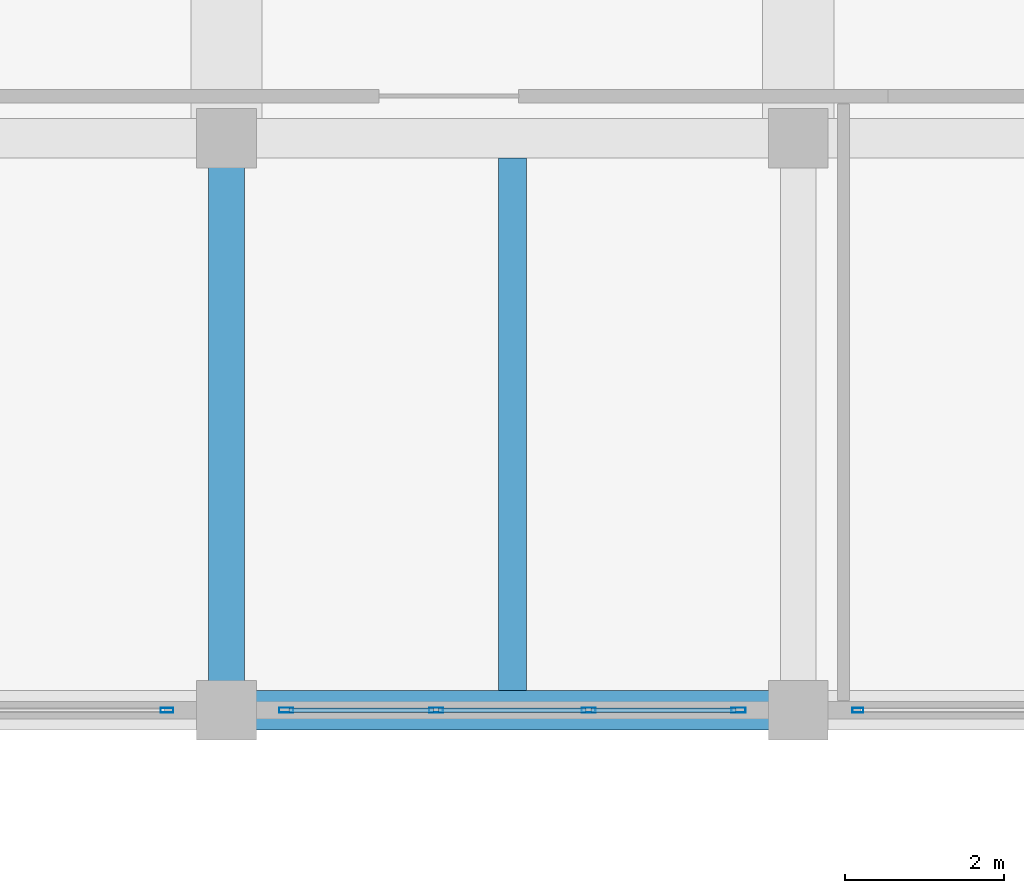
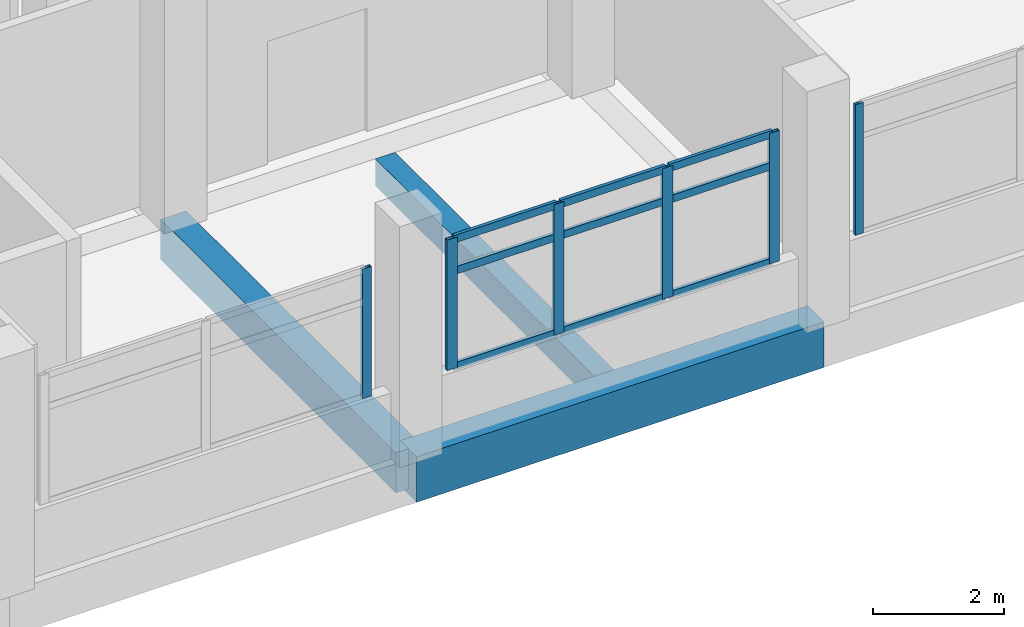
# One storey, part 83 of 141: 15 members, 3 beams, 3 elements without a shape of their own.
"""IFC4 building model written with IfcOpenShell, lengths in metres."""

import ifcopenshell
import ifcopenshell.guid

model = None  # the IFC model being written
_history = None  # IfcOwnerHistory: only IFC2X3 demands one
_inside = {}  # id of a spatial element -> (the spatial element, [elements in it])
_under = {}  # id of a project, library or spatial element -> (it, [spatial elements below it])
_declared = {}  # id of a project -> (the project, [libraries it declares])
_typed = {}  # id of a type object -> (the type object, [elements of that type])
_made_of = {}  # id of a material, layer set ... -> (it, [elements and type objects made of it])


def new_model(schema):
    """Start an empty IFC model of exactly this schema.

    Asked for "IFC4X3", IfcOpenShell would pick the latest addendum, in which some entities
    have other attributes; the version numbers below select the first issue.
    IFC2X3 requires an IfcOwnerHistory on every rooted entity: one is made here for all.
    """
    global model, _history
    if schema == "IFC4X3":
        model = ifcopenshell.file(schema_version=(4, 3, 0, 0))
    else:
        model = ifcopenshell.file(schema=schema)
    _inside.clear()
    _under.clear()
    _declared.clear()
    _typed.clear()
    _made_of.clear()
    _history = None
    if model.schema == "IFC2X3":
        org = make("IfcOrganization", Name="unknown")
        user = make(
            "IfcPersonAndOrganization",
            ThePerson=make("IfcPerson", FamilyName="unknown"),
            TheOrganization=org,
        )
        app = make(
            "IfcApplication",
            ApplicationDeveloper=org,
            Version="unknown",
            ApplicationFullName="unknown",
            ApplicationIdentifier="unknown",
        )
        _history = make(
            "IfcOwnerHistory",
            OwningUser=user,
            OwningApplication=app,
            ChangeAction="ADDED",
            CreationDate=0,
        )
    return model


def make(cls, **values):
    """One entity of the class cls with the attributes given. An attribute that is None is left unset."""
    return model.create_entity(
        cls, **{name: value for name, value in values.items() if value is not None}
    )


def rooted(cls, **values):
    """An entity with a GlobalId (a new one), such as an element, a storey or a relation."""
    return make(cls, GlobalId=ifcopenshell.guid.new(), OwnerHistory=_history, **values)


def si_unit(unit_type, name, prefix=None):
    """IfcSIUnit, for example si_unit("LENGTHUNIT", "METRE", prefix="MILLI")."""
    return make("IfcSIUnit", UnitType=unit_type, Prefix=prefix, Name=name)


def assignment(units):
    """IfcUnitAssignment: the units of a project."""
    return None if units is None else make("IfcUnitAssignment", Units=units)


def point(xyz):
    """IfcCartesianPoint."""
    return None if xyz is None else make("IfcCartesianPoint", Coordinates=xyz)


def direction(xyz):
    """IfcDirection."""
    return None if xyz is None else make("IfcDirection", DirectionRatios=xyz)


def frame(location, z_axis=None, x_axis=None):
    """IfcAxis2Placement3D, a coordinate frame: its origin and axes. An axis left out is left unset."""
    return make(
        "IfcAxis2Placement3D",
        Location=point(location),
        Axis=direction(z_axis),
        RefDirection=direction(x_axis),
    )


def frame_2d(location, x_axis=None):
    """IfcAxis2Placement2D, a coordinate frame in the plane: its origin and x axis."""
    return make(
        "IfcAxis2Placement2D", Location=point(location), RefDirection=direction(x_axis)
    )


def origin():
    """The frame at (0, 0, 0) with its axes left unset."""
    return frame((0.0, 0.0, 0.0))


def origin_2d():
    """The frame at (0, 0) in the plane with its x axis left unset."""
    return frame_2d((0.0, 0.0))


def place(relative_to, where):
    """IfcLocalPlacement: puts the frame where relative to a parent placement (None: the world)."""
    return make(
        "IfcLocalPlacement", PlacementRelTo=relative_to, RelativePlacement=where
    )


def context(
    kind, dimensions, precision=None, world=None, true_north=None, identifier=None
):
    """IfcGeometricRepresentationContext, for example the 3D "Model" context."""
    return make(
        "IfcGeometricRepresentationContext",
        ContextIdentifier=identifier,
        ContextType=kind,
        CoordinateSpaceDimension=dimensions,
        Precision=precision,
        WorldCoordinateSystem=world,
        TrueNorth=true_north,
    )


def subcontext(parent, identifier, kind, view, scale=None):
    """IfcGeometricRepresentationSubContext, for example "Body" below "Model"."""
    return make(
        "IfcGeometricRepresentationSubContext",
        ContextIdentifier=identifier,
        ContextType=kind,
        ParentContext=parent,
        TargetScale=scale,
        TargetView=view,
    )


def project(units=None, contexts=None):
    """IfcProject with its units and contexts."""
    return rooted(
        "IfcProject",
        Name="project",
        RepresentationContexts=contexts,
        UnitsInContext=assignment(units),
    )


def spatial(cls, under=None, at=None, **own):
    """A site, building, storey or space (cls), placed at a placement, below another one or the project."""
    s = rooted(cls, ObjectPlacement=at, **own)
    if under is not None:
        _under.setdefault(under.id(), (under, []))[1].append(s)
    return s


def profile(cls, at=None, kind="AREA", **sizes):
    """A parametric profile (cls). Its sizes go by their IFC names, for example OverallWidth=200.0."""
    return make(cls, ProfileType=kind, Position=at, **sizes)


def rectangle(**sizes):
    """IfcRectangleProfileDef."""
    return profile("IfcRectangleProfileDef", **sizes)


def hollow_rectangle(**sizes):
    """IfcRectangleHollowProfileDef."""
    return profile("IfcRectangleHollowProfileDef", **sizes)


def extrude(swept, where, along, depth):
    """IfcExtrudedAreaSolid: the profile swept, set in the frame where, extruded along a direction by depth."""
    return make(
        "IfcExtrudedAreaSolid",
        SweptArea=swept,
        Position=where,
        ExtrudedDirection=direction(along),
        Depth=depth,
    )


def shape(context_of_items, identifier, shape_type, items):
    """IfcShapeRepresentation: the items that make up one representation, for example the "Body"."""
    return make(
        "IfcShapeRepresentation",
        ContextOfItems=context_of_items,
        RepresentationIdentifier=identifier,
        RepresentationType=shape_type,
        Items=items,
    )


def material(Name=None, Category=None):
    """IfcMaterial."""
    return make("IfcMaterial", Name=Name, Category=Category)


def layer(
    of_material, thickness, ventilated=None, Name=None, Category=None, Priority=None
):
    """IfcMaterialLayer: one layer of a wall or slab, of a material (None: an air gap)."""
    return make(
        "IfcMaterialLayer",
        Material=of_material,
        LayerThickness=thickness,
        IsVentilated=ventilated,
        Name=Name,
        Category=Category,
        Priority=Priority,
    )


def layer_set(layers, Name=None):
    """IfcMaterialLayerSet."""
    return make("IfcMaterialLayerSet", MaterialLayers=layers, LayerSetName=Name)


def material_profile(
    of_material, cross_section, Name=None, Category=None, Priority=None
):
    """IfcMaterialProfile: a cross section and its material."""
    return make(
        "IfcMaterialProfile",
        Name=Name,
        Material=of_material,
        Profile=cross_section,
        Priority=Priority,
        Category=Category,
    )


def profile_set(profiles, Name=None, composite=None):
    """IfcMaterialProfileSet."""
    return make(
        "IfcMaterialProfileSet",
        Name=Name,
        MaterialProfiles=profiles,
        CompositeProfile=composite,
    )


def made_of(thing, what):
    """Note that an element or type object is made of a material, layer set ...; save() writes the relation."""
    if what is not None:
        _made_of.setdefault(what.id(), (what, []))[1].append(thing)
    return thing


def type_object(cls, material=None, **own):
    """A type object (cls), such as IfcWallType, which elements share."""
    return made_of(rooted(cls, **own), material)


def element(
    cls,
    number,
    at=None,
    inside=None,
    cuts=None,
    type_object=None,
    material=None,
    context=None,
    identifier="Body",
    shape_type=None,
    held_by="IfcProductDefinitionShape",
    body=None,
    shapes=None,
    **own,
):
    """One element of the class cls, such as IfcWall. Its Tag is "e" and its number.

    at: its placement. inside: the storey or other place that contains it. cuts: it is an
    opening in that element (IfcRelVoidsElement). A single representation is given by context,
    identifier, shape_type and body (its items); several are given by shapes. held_by: the class
    of the entity that holds the representations. save() writes the other relations.
    """
    e = rooted(cls, Tag="e%d" % number, ObjectPlacement=at, **own)
    if body is not None:
        shapes = [shape(context, identifier, shape_type, body)]
    if shapes is not None:
        e.Representation = make(held_by, Representations=shapes)
    if inside is not None:
        _inside.setdefault(inside.id(), (inside, []))[1].append(e)
    if cuts is not None:
        rooted(
            "IfcRelVoidsElement", RelatingBuildingElement=cuts, RelatedOpeningElement=e
        )
    if type_object is not None:
        _typed.setdefault(type_object.id(), (type_object, []))[1].append(e)
    return made_of(e, material)


def aggregate(whole, parts):
    """IfcRelAggregates: a whole, such as a stair, and the parts it consists of."""
    return rooted("IfcRelAggregates", RelatingObject=whole, RelatedObjects=parts)


def save(model, path):
    """Write the relations noted so far, then the file.

    IfcRelAggregates (storeys below a building ...), IfcRelContainedInSpatialStructure (elements
    in a storey), IfcRelDefinesByType, IfcRelAssociatesMaterial and IfcRelDeclares: one each for
    every whole, place, type object, material and project.
    """
    for whole, parts in _under.values():
        aggregate(whole, parts)
    for where, things in _inside.values():
        rooted(
            "IfcRelContainedInSpatialStructure",
            RelatedElements=things,
            RelatingStructure=where,
        )
    for kind, things in _typed.values():
        rooted("IfcRelDefinesByType", RelatedObjects=things, RelatingType=kind)
    for what, things in _made_of.values():
        rooted("IfcRelAssociatesMaterial", RelatedObjects=things, RelatingMaterial=what)
    for by, libraries in _declared.values():
        rooted("IfcRelDeclares", RelatingContext=by, RelatedDefinitions=libraries)
    model.write(path)


model = new_model("IFC4")

# Units and contexts
model_context = context("Model", 3, precision=1e-05, world=origin(), true_north=direction((0.0, 1.0)))
body_context = subcontext(model_context, "Body", "Model", "MODEL_VIEW")
ifc_project = project(units=[si_unit("LENGTHUNIT", "METRE"), si_unit("AREAUNIT", "SQUARE_METRE"), si_unit("VOLUMEUNIT", "CUBIC_METRE"), si_unit("PLANEANGLEUNIT", "RADIAN"), si_unit("MASSUNIT", "GRAM", prefix="KILO")], contexts=[model_context])

# Site, building, storey
site_placement = place(None, origin())
site = spatial("IfcSite", under=ifc_project, at=site_placement, CompositionType="ELEMENT")
building_placement = place(site_placement, origin())
building = spatial("IfcBuilding", under=site, at=building_placement, Name="Seraya Terrace Polytechnic", CompositionType="ELEMENT")
storey_placement = place(building_placement, frame((0.0, 0.0, 14.39990234375)))
storey = spatial("IfcBuildingStorey", under=building, at=storey_placement, Name="L03", CompositionType="ELEMENT", Elevation=14.39990234375)

# Beams
ifc_material_1 = material(Name="Concrete C40/50", Category="concrete")
ifc_material_profile_1 = material_profile(ifc_material_1, rectangle(XDim=0.5, YDim=0.85009765625, at=origin_2d()), Name="RC 500x850")
ifc_profile_set_1 = profile_set([ifc_material_profile_1], Name="Concrete C40/50")
beam_type_1 = type_object("IfcBeamType", Name="BM-05", PredefinedType="BEAM", material=ifc_profile_set_1)
beam_1_placement = place(storey_placement, frame((64.800048828125, 64.800048828125, -0.4248046875), z_axis=(1.0, 0.0, 0.0), x_axis=(0.0, 1.0, 0.0)))
element("IfcBeam", 1, at=beam_1_placement, inside=storey, type_object=beam_type_1, Name="Beam BM-05 L03 X (64.8..72.0, 64.8)", PredefinedType="BEAM", context=body_context, shape_type="SweptSolid", body=[
    extrude(rectangle(XDim=0.5, YDim=0.85009765625, at=origin_2d()), origin(), (0.0, 0.0, 1.0), 7.199951171875),
])
ifc_material_profile_2 = material_profile(ifc_material_1, rectangle(XDim=0.449951171875, YDim=0.75, at=origin_2d()), Name="RC 450x750")
ifc_profile_set_2 = profile_set([ifc_material_profile_2], Name="Concrete C40/50")
beam_type_2 = type_object("IfcBeamType", Name="BM-08", PredefinedType="BEAM", material=ifc_profile_set_2)
beam_2_placement = place(storey_placement, frame((64.800048828125, 64.800048828125, -0.375), z_axis=(0.0, 1.0, 0.0), x_axis=(-1.0, 0.0, 0.0)))
element("IfcBeam", 2, at=beam_2_placement, inside=storey, type_object=beam_type_2, Name="Beam BM-08 L03 Y (64.8, 64.8..72.0)", PredefinedType="BEAM", context=body_context, shape_type="SweptSolid", body=[
    extrude(rectangle(XDim=0.449951171875, YDim=0.75, at=origin_2d()), origin(), (0.0, 0.0, 1.0), 7.199951171875),
])

# Curtain wall, members
ifc_material_2 = material(Name="Anodised aluminium EN AW-6063 T6", Category="aluminium")
ifc_layer_1 = layer(ifc_material_2, 0.179931640625, Name="CW-34")
ifc_layer_set_1 = layer_set([ifc_layer_1], Name="Anodised aluminium EN AW-6063 T6")
curtain_wall_type_1 = type_object("IfcCurtainWallType", Name="CW-34", PredefinedType="NOTDEFINED", material=ifc_layer_set_1)
curtain_wall_1_placement = place(storey_placement, origin())
curtain_wall_1 = element("IfcCurtainWall", 3, at=curtain_wall_1_placement, inside=storey, type_object=curtain_wall_type_1, Name="Unitised curtain wall CW-34 (CW-L03-142)", PredefinedType="NOTDEFINED")
ifc_material_profile_3 = material_profile(ifc_material_2, hollow_rectangle(XDim=0.06494140625, YDim=0.179931640625, WallThickness=0.00390625, at=origin_2d()), Name="RHS 180x65x4.0")
ifc_profile_set_3 = profile_set([ifc_material_profile_3], Name="Anodised aluminium EN AW-6063 T6")
member_type_1 = type_object("IfcMemberType", Name="CWM-01", PredefinedType="MULLION", material=ifc_profile_set_3)
member_1_placement = place(storey_placement, frame((71.24755859375, 64.800048828125, 1.239990234375), z_axis=(0.0, 0.0, 1.0), x_axis=(0.0, -1.0, 0.0)))
member_1 = element("IfcMember", 4, at=member_1_placement, type_object=member_type_1, Name="CW-34 mullion 1", PredefinedType="MULLION", context=body_context, shape_type="SweptSolid", body=[
    extrude(hollow_rectangle(XDim=0.06494140625, YDim=0.179931640625, WallThickness=0.00390625, at=origin_2d()), origin(), (0.0, 0.0, 1.0), 2.440185546875),
])
member_2_placement = place(storey_placement, frame((69.360107421875, 64.800048828125, 1.239990234375), z_axis=(0.0, 0.0, 1.0), x_axis=(0.0, -1.0, 0.0)))
member_2 = element("IfcMember", 5, at=member_2_placement, type_object=member_type_1, Name="CW-34 mullion 2", PredefinedType="MULLION", context=body_context, shape_type="SweptSolid", body=[
    extrude(hollow_rectangle(XDim=0.06494140625, YDim=0.179931640625, WallThickness=0.00390625, at=origin_2d()), origin(), (0.0, 0.0, 1.0), 2.440185546875),
])
member_3_placement = place(storey_placement, frame((67.43994140625, 64.800048828125, 1.239990234375), z_axis=(0.0, 0.0, 1.0), x_axis=(0.0, -1.0, 0.0)))
member_3 = element("IfcMember", 6, at=member_3_placement, type_object=member_type_1, Name="CW-34 mullion 3", PredefinedType="MULLION", context=body_context, shape_type="SweptSolid", body=[
    extrude(hollow_rectangle(XDim=0.06494140625, YDim=0.179931640625, WallThickness=0.00390625, at=origin_2d()), origin(), (0.0, 0.0, 1.0), 2.440185546875),
])
member_4_placement = place(storey_placement, frame((65.552490234375, 64.800048828125, 1.239990234375), z_axis=(0.0, 0.0, 1.0), x_axis=(0.0, -1.0, 0.0)))
member_4 = element("IfcMember", 7, at=member_4_placement, type_object=member_type_1, Name="CW-34 mullion 4", PredefinedType="MULLION", context=body_context, shape_type="SweptSolid", body=[
    extrude(hollow_rectangle(XDim=0.06494140625, YDim=0.179931640625, WallThickness=0.00390625, at=origin_2d()), origin(), (0.0, 0.0, 1.0), 2.440185546875),
])

# Curtain wall, member
ifc_layer_2 = layer(ifc_material_2, 0.179931640625, Name="CW-35")
ifc_layer_set_2 = layer_set([ifc_layer_2], Name="Anodised aluminium EN AW-6063 T6")
curtain_wall_type_2 = type_object("IfcCurtainWallType", Name="CW-35", PredefinedType="NOTDEFINED", material=ifc_layer_set_2)
curtain_wall_2_placement = place(storey_placement, origin())
curtain_wall_2 = element("IfcCurtainWall", 8, at=curtain_wall_2_placement, inside=storey, type_object=curtain_wall_type_2, Name="Unitised curtain wall CW-35 (CW-L03-143)", PredefinedType="NOTDEFINED")
ifc_material_profile_4 = material_profile(ifc_material_2, hollow_rectangle(XDim=0.06005859375, YDim=0.159912109375, WallThickness=0.00341796875, at=origin_2d()), Name="RHS 160x60x3.5")
ifc_profile_set_4 = profile_set([ifc_material_profile_4], Name="Anodised aluminium EN AW-6063 T6")
member_type_2 = type_object("IfcMemberType", Name="CWM-02", PredefinedType="MULLION", material=ifc_profile_set_4)
member_5_placement = place(storey_placement, frame((64.050048828125, 64.800048828125, 1.239990234375), z_axis=(0.0, 0.0, 1.0), x_axis=(0.0, -1.0, 0.0)))
member_5 = element("IfcMember", 9, at=member_5_placement, type_object=member_type_2, Name="CW-35 mullion 1", PredefinedType="MULLION", context=body_context, shape_type="SweptSolid", body=[
    extrude(hollow_rectangle(XDim=0.06005859375, YDim=0.159912109375, WallThickness=0.00341796875, at=origin_2d()), origin(), (0.0, 0.0, 1.0), 2.420166015625),
])
aggregate(curtain_wall_2, [member_5])

ifc_layer_3 = layer(ifc_material_2, 0.179931640625, Name="CW-33")
ifc_layer_set_3 = layer_set([ifc_layer_3], Name="Anodised aluminium EN AW-6063 T6")
curtain_wall_type_3 = type_object("IfcCurtainWallType", Name="CW-33", PredefinedType="NOTDEFINED", material=ifc_layer_set_3)
curtain_wall_3_placement = place(storey_placement, origin())
curtain_wall_3 = element("IfcCurtainWall", 10, at=curtain_wall_3_placement, inside=storey, type_object=curtain_wall_type_3, Name="Unitised curtain wall CW-33 (CW-L03-141)", PredefinedType="NOTDEFINED")
ifc_material_profile_5 = material_profile(ifc_material_2, hollow_rectangle(XDim=0.06005859375, YDim=0.139892578125, WallThickness=0.00341796875, at=origin_2d()), Name="RHS 140x60x3.5")
ifc_profile_set_5 = profile_set([ifc_material_profile_5], Name="Anodised aluminium EN AW-6063 T6")
member_type_3 = type_object("IfcMemberType", Name="CWM-03", PredefinedType="MULLION", material=ifc_profile_set_5)
member_6_placement = place(storey_placement, frame((72.75, 64.800048828125, 1.239990234375), z_axis=(0.0, 0.0, 1.0), x_axis=(0.0, -1.0, 0.0)))
member_6 = element("IfcMember", 11, at=member_6_placement, type_object=member_type_3, Name="CW-33 mullion 3", PredefinedType="MULLION", context=body_context, shape_type="SweptSolid", body=[
    extrude(hollow_rectangle(XDim=0.06005859375, YDim=0.139892578125, WallThickness=0.00341796875, at=origin_2d()), origin(), (0.0, 0.0, 1.0), 2.440185546875),
])
aggregate(curtain_wall_3, [member_6])

# Member
ifc_material_profile_6 = material_profile(ifc_material_2, hollow_rectangle(XDim=0.06005859375, YDim=0.139892578125, WallThickness=0.00341796875, at=origin_2d()), Name="RHS 140x60x3.5")
ifc_profile_set_6 = profile_set([ifc_material_profile_6], Name="Anodised aluminium EN AW-6063 T6")
member_type_4 = type_object("IfcMemberType", Name="CWT-01", PredefinedType="USERDEFINED", material=ifc_profile_set_6)
member_7_placement = place(storey_placement, frame((71.215087890625, 64.800048828125, 1.27001953125), z_axis=(-1.0, 0.0, 0.0), x_axis=(0.0, -1.0, 0.0)))
member_7 = element("IfcMember", 12, at=member_7_placement, type_object=member_type_4, Name="CW-34 transom 1.1", ObjectType="TRANSOM", PredefinedType="USERDEFINED", context=body_context, shape_type="SweptSolid", body=[
    extrude(hollow_rectangle(XDim=0.06005859375, YDim=0.139892578125, WallThickness=0.00341796875, at=origin_2d()), origin(), (0.0, 0.0, 1.0), 1.822509765625),
])

member_8_placement = place(storey_placement, frame((71.215087890625, 64.800048828125, 3.06005859375), z_axis=(-1.0, 0.0, 0.0), x_axis=(0.0, -1.0, 0.0)))
member_8 = element("IfcMember", 13, at=member_8_placement, type_object=member_type_4, Name="CW-34 transom 1.2", ObjectType="TRANSOM", PredefinedType="USERDEFINED", context=body_context, shape_type="SweptSolid", body=[
    extrude(hollow_rectangle(XDim=0.06005859375, YDim=0.139892578125, WallThickness=0.00341796875, at=origin_2d()), origin(), (0.0, 0.0, 1.0), 1.822509765625),
])

member_9_placement = place(storey_placement, frame((71.215087890625, 64.800048828125, 3.650146484375), z_axis=(-1.0, 0.0, 0.0), x_axis=(0.0, -1.0, 0.0)))
member_9 = element("IfcMember", 14, at=member_9_placement, type_object=member_type_4, Name="CW-34 transom 1.3", ObjectType="TRANSOM", PredefinedType="USERDEFINED", context=body_context, shape_type="SweptSolid", body=[
    extrude(hollow_rectangle(XDim=0.06005859375, YDim=0.139892578125, WallThickness=0.00341796875, at=origin_2d()), origin(), (0.0, 0.0, 1.0), 1.822509765625),
])

member_10_placement = place(storey_placement, frame((69.327392578125, 64.800048828125, 1.27001953125), z_axis=(-1.0, 0.0, 0.0), x_axis=(0.0, -1.0, 0.0)))
member_10 = element("IfcMember", 15, at=member_10_placement, type_object=member_type_4, Name="CW-34 transom 2.1", ObjectType="TRANSOM", PredefinedType="USERDEFINED", context=body_context, shape_type="SweptSolid", body=[
    extrude(hollow_rectangle(XDim=0.06005859375, YDim=0.139892578125, WallThickness=0.00341796875, at=origin_2d()), origin(), (0.0, 0.0, 1.0), 1.85498046875),
])

member_11_placement = place(storey_placement, frame((69.327392578125, 64.800048828125, 3.06005859375), z_axis=(-1.0, 0.0, 0.0), x_axis=(0.0, -1.0, 0.0)))
member_11 = element("IfcMember", 16, at=member_11_placement, type_object=member_type_4, Name="CW-34 transom 2.2", ObjectType="TRANSOM", PredefinedType="USERDEFINED", context=body_context, shape_type="SweptSolid", body=[
    extrude(hollow_rectangle(XDim=0.06005859375, YDim=0.139892578125, WallThickness=0.00341796875, at=origin_2d()), origin(), (0.0, 0.0, 1.0), 1.85498046875),
])

member_12_placement = place(storey_placement, frame((69.327392578125, 64.800048828125, 3.650146484375), z_axis=(-1.0, 0.0, 0.0), x_axis=(0.0, -1.0, 0.0)))
member_12 = element("IfcMember", 17, at=member_12_placement, type_object=member_type_4, Name="CW-34 transom 2.3", ObjectType="TRANSOM", PredefinedType="USERDEFINED", context=body_context, shape_type="SweptSolid", body=[
    extrude(hollow_rectangle(XDim=0.06005859375, YDim=0.139892578125, WallThickness=0.00341796875, at=origin_2d()), origin(), (0.0, 0.0, 1.0), 1.85498046875),
])

member_13_placement = place(storey_placement, frame((67.407470703125, 64.800048828125, 1.27001953125), z_axis=(-1.0, 0.0, 0.0), x_axis=(0.0, -1.0, 0.0)))
member_13 = element("IfcMember", 18, at=member_13_placement, type_object=member_type_4, Name="CW-34 transom 3.1", ObjectType="TRANSOM", PredefinedType="USERDEFINED", context=body_context, shape_type="SweptSolid", body=[
    extrude(hollow_rectangle(XDim=0.06005859375, YDim=0.139892578125, WallThickness=0.00341796875, at=origin_2d()), origin(), (0.0, 0.0, 1.0), 1.822509765625),
])

member_14_placement = place(storey_placement, frame((67.407470703125, 64.800048828125, 3.06005859375), z_axis=(-1.0, 0.0, 0.0), x_axis=(0.0, -1.0, 0.0)))
member_14 = element("IfcMember", 19, at=member_14_placement, type_object=member_type_4, Name="CW-34 transom 3.2", ObjectType="TRANSOM", PredefinedType="USERDEFINED", context=body_context, shape_type="SweptSolid", body=[
    extrude(hollow_rectangle(XDim=0.06005859375, YDim=0.139892578125, WallThickness=0.00341796875, at=origin_2d()), origin(), (0.0, 0.0, 1.0), 1.822509765625),
])

member_15_placement = place(storey_placement, frame((67.407470703125, 64.800048828125, 3.650146484375), z_axis=(-1.0, 0.0, 0.0), x_axis=(0.0, -1.0, 0.0)))
member_15 = element("IfcMember", 20, at=member_15_placement, type_object=member_type_4, Name="CW-34 transom 3.3", ObjectType="TRANSOM", PredefinedType="USERDEFINED", context=body_context, shape_type="SweptSolid", body=[
    extrude(hollow_rectangle(XDim=0.06005859375, YDim=0.139892578125, WallThickness=0.00341796875, at=origin_2d()), origin(), (0.0, 0.0, 1.0), 1.822509765625),
])

aggregate(curtain_wall_1, [member_1, member_2, member_3, member_4, member_7, member_8, member_9, member_10, member_11, member_12, member_13, member_14, member_15])

# Beam
ifc_material_profile_7 = material_profile(ifc_material_1, rectangle(XDim=0.35009765625, YDim=0.5, at=origin_2d()), Name="RC 350x500")
ifc_profile_set_7 = profile_set([ifc_material_profile_7], Name="Concrete C40/50")
beam_type_3 = type_object("IfcBeamType", Name="JS-03", PredefinedType="JOIST", material=ifc_profile_set_7)
beam_3_placement = place(storey_placement, frame((68.39990234375, 65.050048828125, -0.25), z_axis=(0.0, 1.0, 0.0), x_axis=(-1.0, 0.0, 0.0)))
element("IfcBeam", 21, at=beam_3_placement, inside=storey, type_object=beam_type_3, Name="Secondary joist JS-03 L03", PredefinedType="JOIST", context=body_context, shape_type="SweptSolid", body=[
    extrude(rectangle(XDim=0.35009765625, YDim=0.5, at=origin_2d()), origin(), (0.0, 0.0, 1.0), 6.699951171875),
])

save(model, "model.ifc")
